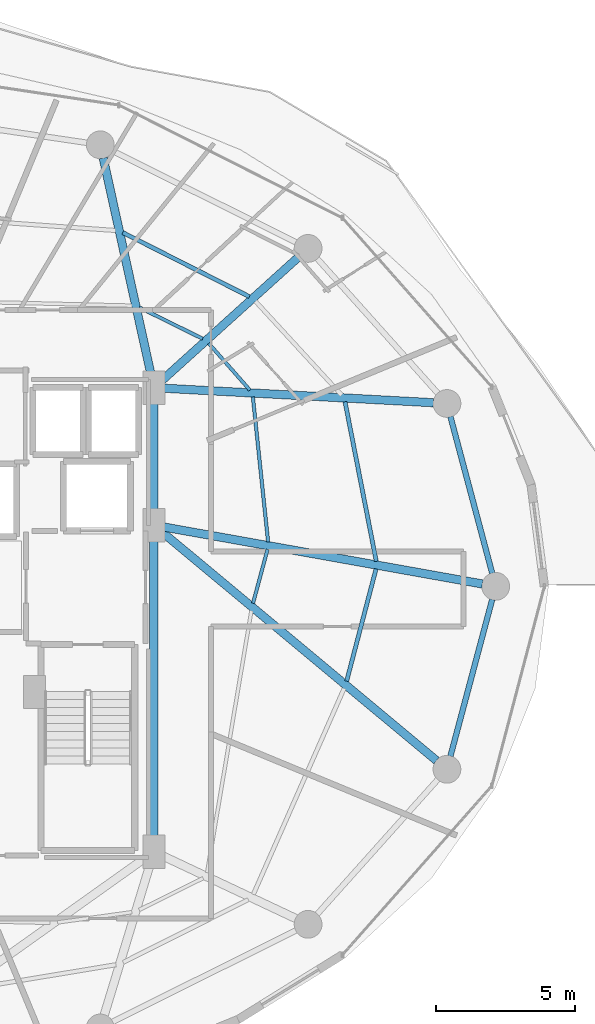
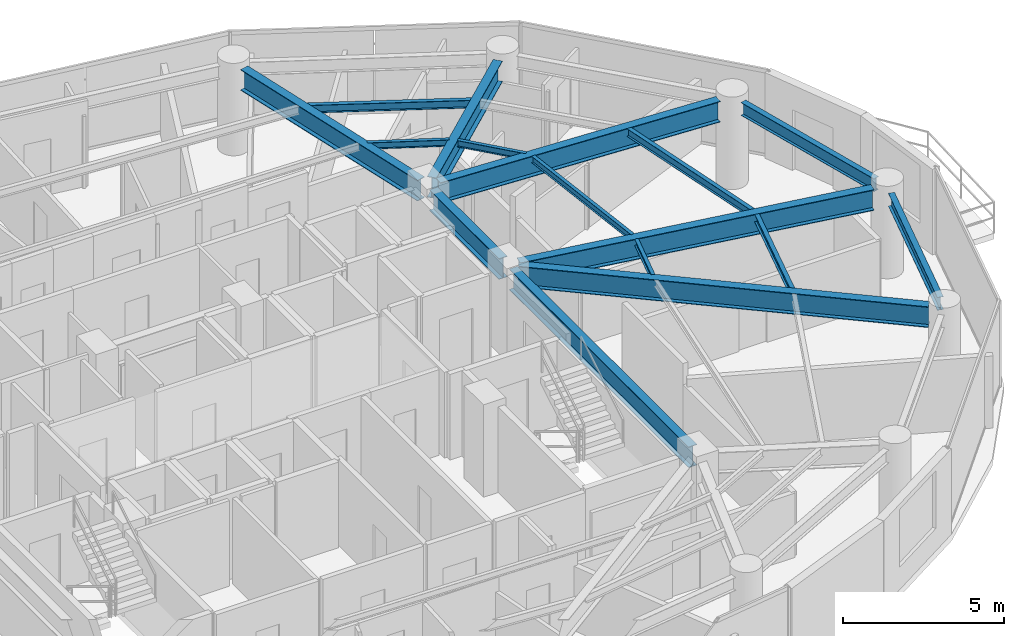
# One storey, part 12 of 28: 16 beams.
"""IFC4 building model written with IfcOpenShell, lengths in metres."""

from ifc_helpers import new_model, si_unit, direction, frame, origin, origin_2d, place, context, subcontext, project, spatial, i_section, extrude, material, material_profile, profile_set, type_object, element, save


model = new_model("IFC4")

# Units and contexts
model_context = context("Model", 3, precision=1e-05, world=origin(), true_north=direction((0.0, 1.0)))
body_context = subcontext(model_context, "Body", "Model", "MODEL_VIEW")
ifc_project = project(units=[si_unit("LENGTHUNIT", "METRE"), si_unit("AREAUNIT", "SQUARE_METRE"), si_unit("VOLUMEUNIT", "CUBIC_METRE"), si_unit("PLANEANGLEUNIT", "RADIAN"), si_unit("MASSUNIT", "GRAM", prefix="KILO")], contexts=[model_context])

# Site, building, storey
site_placement = place(None, origin())
site = spatial("IfcSite", under=ifc_project, at=site_placement, CompositionType="ELEMENT")
building_placement = place(site_placement, origin())
building = spatial("IfcBuilding", under=site, at=building_placement, Name="Vorneva Point Tower", CompositionType="ELEMENT")
storey_placement = place(building_placement, frame((0.0, 0.0, 143.10009765625)))
storey = spatial("IfcBuildingStorey", under=building, at=storey_placement, Name="L38", CompositionType="ELEMENT", Elevation=143.10009765625)

# Beams
ifc_material = material(Name="Steel S355", Category="steel")
ifc_material_profile_1 = material_profile(ifc_material, i_section(OverallWidth=0.300048828125, OverallDepth=0.7880859375, WebThickness=0.014404296875, FlangeThickness=0.02197265625, at=origin_2d()), Name="80Sh1")
ifc_profile_set_1 = profile_set([ifc_material_profile_1], Name="Steel S355")
beam_type_1 = type_object("IfcBeamType", Name="BM-GRD-80Sh1", PredefinedType="USERDEFINED", material=ifc_profile_set_1)
beam_1_placement = place(storey_placement, frame((60.569580078125, 26.0859375, 2.845947265625), z_axis=(-0.984378132756, 0.176067293249, 0.0), x_axis=(-0.176067293249, -0.984378132756, 0.0)))
element("IfcBeam", 1, at=beam_1_placement, inside=storey, type_object=beam_type_1, Name="L38 Radial Primary Girder 01", ObjectType="GIRDER", PredefinedType="USERDEFINED", context=body_context, shape_type="SweptSolid", body=[
    extrude(i_section(OverallWidth=0.300048828125, OverallDepth=0.7880859375, WebThickness=0.014404296875, FlangeThickness=0.02197265625, at=origin_2d()), origin(), (0.0, 0.0, 1.0), 11.667236328125),
])
beam_2_placement = place(storey_placement, frame((58.80810546875, 32.6083984375, 2.845947265625), z_axis=(-0.998554051908, 0.053756910424, 0.0), x_axis=(-0.053756910424, -0.998554051908, 0.0)))
element("IfcBeam", 2, at=beam_2_placement, inside=storey, type_object=beam_type_1, Name="L38 Radial Primary Girder 02", ObjectType="GIRDER", PredefinedType="USERDEFINED", context=body_context, shape_type="SweptSolid", body=[
    extrude(i_section(OverallWidth=0.300048828125, OverallDepth=0.7880859375, WebThickness=0.014404296875, FlangeThickness=0.02197265625, at=origin_2d()), origin(), (0.0, 0.0, 1.0), 9.732666015625),
])
beam_3_placement = place(storey_placement, frame((53.936767578125, 37.835205078125, 2.845947265625), z_axis=(-0.742084379637, -0.670306477292, 0.0), x_axis=(0.670306477292, -0.742084379637, 0.0)))
element("IfcBeam", 3, at=beam_3_placement, inside=storey, type_object=beam_type_1, Name="L38 Radial Primary Girder 03", ObjectType="GIRDER", PredefinedType="USERDEFINED", context=body_context, shape_type="SweptSolid", body=[
    extrude(i_section(OverallWidth=0.300048828125, OverallDepth=0.7880859375, WebThickness=0.014404296875, FlangeThickness=0.02197265625, at=origin_2d()), origin(), (0.0, 0.0, 1.0), 6.649658203125),
])
beam_4_placement = place(storey_placement, frame((46.926025390625, 41.414306640625, 2.845947265625), z_axis=(0.215520500859, -0.976499315775, 0.0), x_axis=(0.976499315775, 0.215520500859, 0.0)))
element("IfcBeam", 4, at=beam_4_placement, inside=storey, type_object=beam_type_1, Name="L38 Radial Primary Girder 04", ObjectType="GIRDER", PredefinedType="USERDEFINED", context=body_context, shape_type="SweptSolid", body=[
    extrude(i_section(OverallWidth=0.300048828125, OverallDepth=0.7880859375, WebThickness=0.014404296875, FlangeThickness=0.02197265625, at=origin_2d()), origin(), (0.0, 0.0, 1.0), 8.123291015625),
])
beam_5_placement = place(storey_placement, frame((58.92041015625, 19.72998046875, 2.845947265625), z_axis=(-0.76841987547, 0.639946009428, 0.0), x_axis=(-0.639946009428, -0.76841987547, 0.0)))
element("IfcBeam", 5, at=beam_5_placement, inside=storey, type_object=beam_type_1, Name="L38 Radial Primary Girder 16", ObjectType="GIRDER", PredefinedType="USERDEFINED", context=body_context, shape_type="SweptSolid", body=[
    extrude(i_section(OverallWidth=0.300048828125, OverallDepth=0.7880859375, WebThickness=0.014404296875, FlangeThickness=0.02197265625, at=origin_2d()), origin(), (0.0, 0.0, 1.0), 12.8955078125),
])
beam_6_placement = place(storey_placement, frame((48.75, 16.77001953125, 2.845947265625), z_axis=(0.0, 1.0, 0.0), x_axis=(-1.0, 0.0, 0.0)))
element("IfcBeam", 6, at=beam_6_placement, inside=storey, type_object=beam_type_1, Name="L38 Core Tie Girder CT3", ObjectType="GIRDER", PredefinedType="USERDEFINED", context=body_context, shape_type="SweptSolid", body=[
    extrude(i_section(OverallWidth=0.300048828125, OverallDepth=0.7880859375, WebThickness=0.014404296875, FlangeThickness=0.02197265625, at=origin_2d()), origin(), (0.0, 0.0, 1.0), 11.10986328125),
])
beam_7_placement = place(storey_placement, frame((48.75, 28.52001953125, 2.845947265625), z_axis=(0.0, 1.0, 0.0), x_axis=(-1.0, 0.0, 0.0)))
element("IfcBeam", 7, at=beam_7_placement, inside=storey, type_object=beam_type_1, Name="L38 Core Tie Girder CT4", ObjectType="GIRDER", PredefinedType="USERDEFINED", context=body_context, shape_type="SweptSolid", body=[
    extrude(i_section(OverallWidth=0.300048828125, OverallDepth=0.7880859375, WebThickness=0.014404296875, FlangeThickness=0.02197265625, at=origin_2d()), origin(), (0.0, 0.0, 1.0), 4.31005859375),
])
ifc_material_profile_2 = material_profile(ifc_material, i_section(OverallWidth=0.1240234375, OverallDepth=0.248046875, WebThickness=0.0048828125, FlangeThickness=0.008056640625, at=origin_2d()), Name="25B1")
ifc_profile_set_2 = profile_set([ifc_material_profile_2], Name="Steel S355")
beam_type_2 = type_object("IfcBeamType", Name="BM-JST-25B1", PredefinedType="JOIST", material=ifc_profile_set_2)
beam_8_placement = place(storey_placement, frame((52.8603515625, 27.599609375, 3.115966796875), z_axis=(-0.104612176701, 0.99451309317, 0.0), x_axis=(-0.99451309317, -0.104612176701, 0.0)))
element("IfcBeam", 8, at=beam_8_placement, inside=storey, type_object=beam_type_2, Name="L38 Secondary Floor Beam 2.01", PredefinedType="JOIST", context=body_context, shape_type="SweptSolid", body=[
    extrude(i_section(OverallWidth=0.1240234375, OverallDepth=0.248046875, WebThickness=0.0048828125, FlangeThickness=0.008056640625, at=origin_2d()), origin(), (0.0, 0.0, 1.0), 5.2509765625),
])
beam_9_placement = place(storey_placement, frame((52.205322265625, 33.0625, 3.115966796875), z_axis=(-0.661250814478, 0.750164888776, 0.0), x_axis=(-0.750164888776, -0.661250814478, 0.0)))
element("IfcBeam", 9, at=beam_9_placement, inside=storey, type_object=beam_type_2, Name="L38 Secondary Floor Beam 2.02", PredefinedType="JOIST", context=body_context, shape_type="SweptSolid", body=[
    extrude(i_section(OverallWidth=0.1240234375, OverallDepth=0.248046875, WebThickness=0.0048828125, FlangeThickness=0.008056640625, at=origin_2d()), origin(), (0.0, 0.0, 1.0), 2.243408203125),
])
beam_10_placement = place(storey_placement, frame((50.5068359375, 34.909912109375, 3.115966796875), z_axis=(-0.896525372152, 0.442992389425, 0.0), x_axis=(-0.442992389425, -0.896525372152, 0.0)))
element("IfcBeam", 10, at=beam_10_placement, inside=storey, type_object=beam_type_2, Name="L38 Secondary Floor Beam 2.03", PredefinedType="JOIST", context=body_context, shape_type="SweptSolid", body=[
    extrude(i_section(OverallWidth=0.1240234375, OverallDepth=0.248046875, WebThickness=0.0048828125, FlangeThickness=0.008056640625, at=origin_2d()), origin(), (0.0, 0.0, 1.0), 2.5478515625),
])
beam_11_placement = place(storey_placement, frame((52.317138671875, 25.392333984375, 3.115966796875), z_axis=(0.260108786392, 0.965579317944, 0.0), x_axis=(-0.965579317944, 0.260108786392, 0.0)))
element("IfcBeam", 11, at=beam_11_placement, inside=storey, type_object=beam_type_2, Name="L38 Secondary Floor Beam 2.16", PredefinedType="JOIST", context=body_context, shape_type="SweptSolid", body=[
    extrude(i_section(OverallWidth=0.1240234375, OverallDepth=0.248046875, WebThickness=0.0048828125, FlangeThickness=0.008056640625, at=origin_2d()), origin(), (0.0, 0.0, 1.0), 2.005859375),
])
ifc_material_profile_3 = material_profile(ifc_material, i_section(OverallWidth=0.14892578125, OverallDepth=0.298095703125, WebThickness=0.005615234375, FlangeThickness=0.008056640625, at=origin_2d()), Name="30B1")
ifc_profile_set_3 = profile_set([ifc_material_profile_3], Name="Steel S355")
beam_type_3 = type_object("IfcBeamType", Name="BM-JST-30B1", PredefinedType="JOIST", material=ifc_profile_set_3)
beam_12_placement = place(storey_placement, frame((56.753173828125, 26.899169921875, 3.0908203125), z_axis=(-0.192242055479, 0.9813475389, 0.0), x_axis=(-0.9813475389, -0.192242055479, 0.0)))
element("IfcBeam", 12, at=beam_12_placement, inside=storey, type_object=beam_type_3, Name="L38 Secondary Floor Beam 1.01", PredefinedType="JOIST", context=body_context, shape_type="SweptSolid", body=[
    extrude(i_section(OverallWidth=0.14892578125, OverallDepth=0.298095703125, WebThickness=0.005615234375, FlangeThickness=0.008056640625, at=origin_2d()), origin(), (0.0, 0.0, 1.0), 5.855712890625),
])
beam_13_placement = place(storey_placement, frame((52.185302734375, 36.426513671875, 3.0908203125), z_axis=(-0.892189333363, 0.451661591717, 0.0), x_axis=(-0.451661591717, -0.892189333363, 0.0)))
element("IfcBeam", 13, at=beam_13_placement, inside=storey, type_object=beam_type_3, Name="L38 Secondary Floor Beam 1.03", PredefinedType="JOIST", context=body_context, shape_type="SweptSolid", body=[
    extrude(i_section(OverallWidth=0.14892578125, OverallDepth=0.298095703125, WebThickness=0.005615234375, FlangeThickness=0.008056640625, at=origin_2d()), origin(), (0.0, 0.0, 1.0), 5.109130859375),
])
beam_14_placement = place(storey_placement, frame((55.685302734375, 22.5869140625, 3.0908203125), z_axis=(0.253432269417, 0.967353133462, 0.0), x_axis=(-0.967353133462, 0.253432269417, 0.0)))
element("IfcBeam", 14, at=beam_14_placement, inside=storey, type_object=beam_type_3, Name="L38 Secondary Floor Beam 1.16", PredefinedType="JOIST", context=body_context, shape_type="SweptSolid", body=[
    extrude(i_section(OverallWidth=0.14892578125, OverallDepth=0.298095703125, WebThickness=0.005615234375, FlangeThickness=0.008056640625, at=origin_2d()), origin(), (0.0, 0.0, 1.0), 4.179931640625),
])
ifc_material_profile_4 = material_profile(ifc_material, i_section(OverallWidth=0.199951171875, OverallDepth=0.491943359375, WebThickness=0.0087890625, FlangeThickness=0.011962890625, at=origin_2d()), Name="50B1")
ifc_profile_set_4 = profile_set([ifc_material_profile_4], Name="Steel S355")
beam_type_4 = type_object("IfcBeamType", Name="BM-SPN-50B1", PredefinedType="SPANDREL", material=ifc_profile_set_4)
for number, where, z_axis, x_axis, name in (
    (15, (60.925048828125, 26.468505859375, 2.993896484375), (-0.257550804648, 0.966264758245, 0.0), (-0.966264758245, -0.257550804648, 0.0), "L38 Perimeter Spandrel Ring Beam 01"),
    (16, (59.42041015625, 19.886474609375, 2.993896484375), (0.257550804648, 0.966264758245, 0.0), (-0.966264758245, 0.257550804648, 0.0), "L38 Perimeter Spandrel Ring Beam 16"),
):
    element("IfcBeam", number, at=place(storey_placement, frame(where, z_axis=z_axis, x_axis=x_axis)), inside=storey, type_object=beam_type_4, Name=name, PredefinedType="SPANDREL", context=body_context, shape_type="SweptSolid", body=[
        extrude(i_section(OverallWidth=0.199951171875, OverallDepth=0.491943359375, WebThickness=0.0087890625, FlangeThickness=0.011962890625, at=origin_2d()), origin(), (0.0, 0.0, 1.0), 5.842041015625),
    ])

save(model, "model.ifc")
